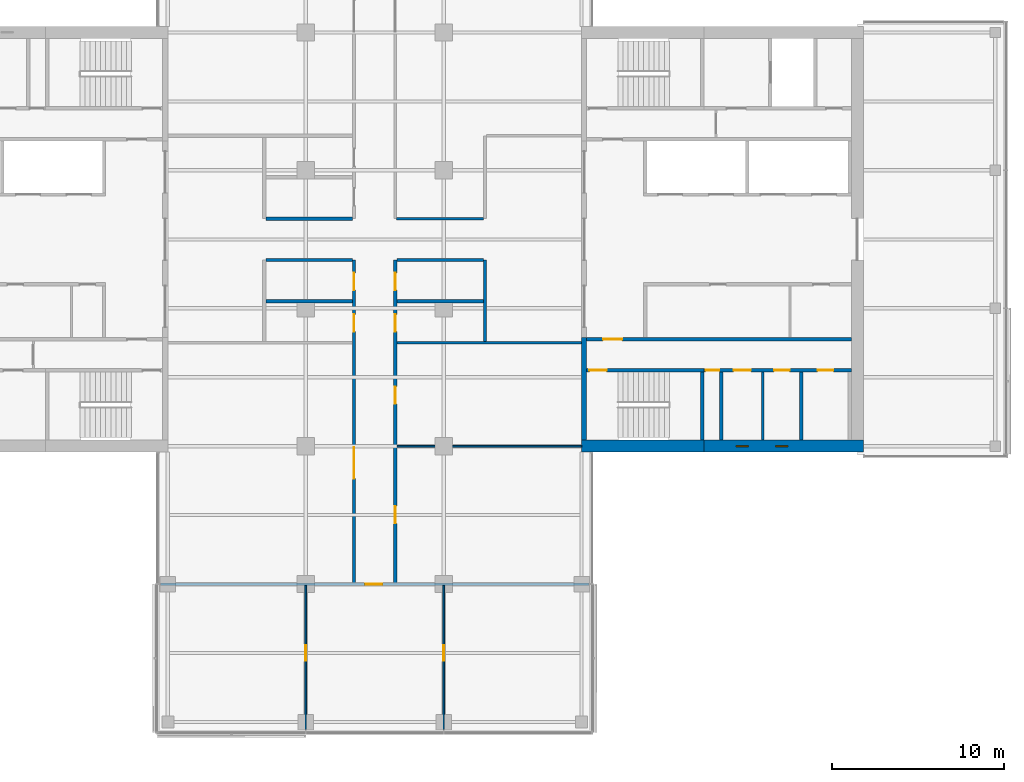
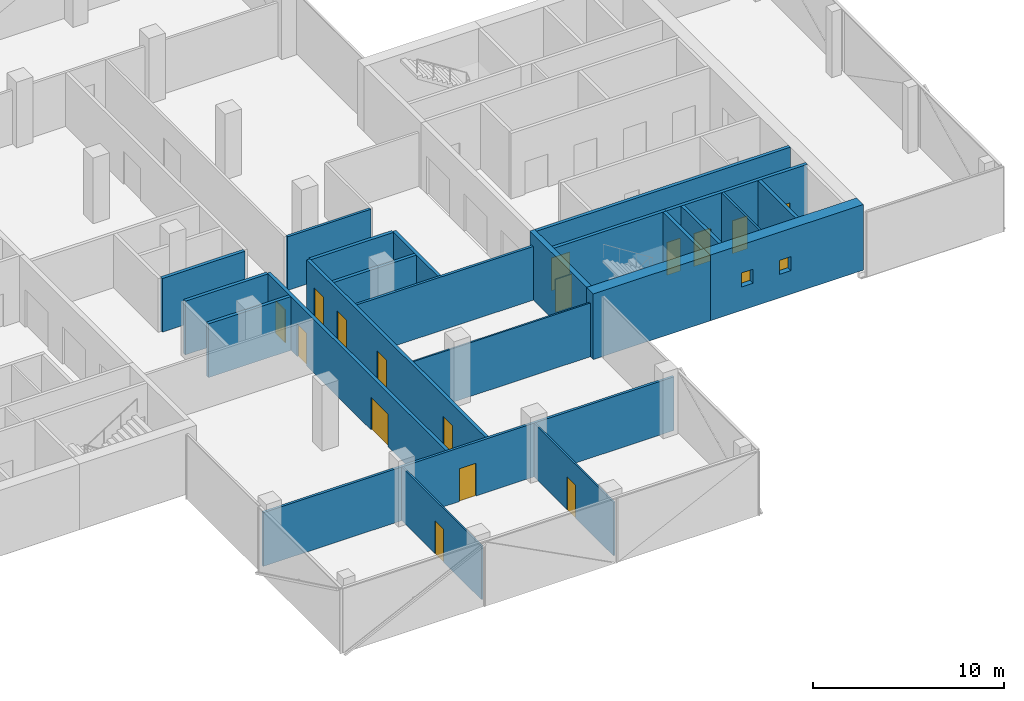
# One storey, part 14 of 22: 24 walls, 16 doors, 2 windows, 18 openings.
"""IFC4 building model written with IfcOpenShell, lengths in metres."""

from ifc_helpers import new_model, si_unit, direction, frame, frame_2d, origin, place, context, subcontext, project, spatial, rectangle, extrude, material, layer, layer_set, constituent, constituent_set, type_object, element, fill, save


model = new_model("IFC4")

# Units and contexts
model_context = context("Model", 3, precision=1e-05, world=origin(), true_north=direction((0.0, 1.0)))
body_context = subcontext(model_context, "Body", "Model", "MODEL_VIEW")
ifc_project = project(units=[si_unit("LENGTHUNIT", "METRE"), si_unit("AREAUNIT", "SQUARE_METRE"), si_unit("VOLUMEUNIT", "CUBIC_METRE"), si_unit("PLANEANGLEUNIT", "RADIAN"), si_unit("MASSUNIT", "GRAM", prefix="KILO")], contexts=[model_context])

# Site, building, storey
site_placement = place(None, origin())
site = spatial("IfcSite", under=ifc_project, at=site_placement, CompositionType="ELEMENT")
building_placement = place(site_placement, origin())
building = spatial("IfcBuilding", under=site, at=building_placement, Name="Crosswind Convention Tower", CompositionType="ELEMENT")
storey_placement = place(building_placement, frame((0.0, 0.0, 121.10009765625)))
storey = spatial("IfcBuildingStorey", under=building, at=storey_placement, Name="L24", CompositionType="ELEMENT", Elevation=121.10009765625)

# Wall
ifc_material_1 = material(Name="Concrete blockwork", Category="masonry")
ifc_layer_1 = layer(ifc_material_1, 0.199951171875)
ifc_layer_set_1 = layer_set([ifc_layer_1], Name="Blockwork partition wall 200")
wall_type_1 = type_object("IfcWallType", Name="Blockwork partition wall 200", PredefinedType="PARTITIONING", material=ifc_layer_set_1)
wall_1_placement = place(storey_placement, frame((145.10009765625, 88.35009765625, 0.0), z_axis=(0.0, 0.0, 1.0), x_axis=(0.0, 1.0, 0.0)))
element("IfcWall", 1, at=wall_1_placement, inside=storey, type_object=wall_type_1, Name="Wall MRSE E L24", PredefinedType="PARTITIONING", context=body_context, shape_type="SweptSolid", body=[
    extrude(rectangle(XDim=3.949951171875, YDim=0.199951171875, at=frame_2d((1.97509765625, 0.0))), origin(), (0.0, 0.0, 1.0), 4.199951171875),
])

# Wall, openings, doors
ifc_layer_2 = layer(ifc_material_1, 0.199951171875)
ifc_layer_set_2 = layer_set([ifc_layer_2], Name="COMPARTMENT WALL 200 BLOCKWORK")
wall_type_2 = type_object("IfcWallType", Name="COMPARTMENT WALL 200 BLOCKWORK", PredefinedType="SOLIDWALL", material=ifc_layer_set_2)
wall_2_placement = place(storey_placement, frame((123.800048828125, 80.074951171875, 0.0), z_axis=(0.0, 0.0, 1.0), x_axis=(0.0, 1.0, 0.0)))
wall_2 = element("IfcWall", 2, at=wall_2_placement, inside=storey, type_object=wall_type_2, Name="Compartment wall WT42", PredefinedType="SOLIDWALL", context=body_context, shape_type="SweptSolid", body=[
    extrude(rectangle(XDim=18.72509765625, YDim=0.199951171875, at=frame_2d((9.362548828125, 0.0))), origin(), (0.0, 0.0, 1.0), 3.436279296875),
])
opening_1_placement = place(wall_2_placement, frame((16.97509765625, 0.0, 0.0)))
opening_1 = element("IfcOpeningElement", 3, at=opening_1_placement, cuts=wall_2, Name="Opening L24-58", PredefinedType="OPENING", context=body_context, shape_type="SweptSolid", body=[
    extrude(rectangle(XDim=1.0, YDim=2.10009765625, at=frame_2d((0.5, 1.050048828125))), frame((0.0, 0.10986328125, 0.0), z_axis=(0.0, -1.0, 0.0), x_axis=(1.0, 0.0, 0.0)), (0.0, 0.0, 1.0), 0.219970703125),
])
opening_2_placement = place(wall_2_placement, frame((14.574951171875, 0.0, 0.0)))
opening_2 = element("IfcOpeningElement", 4, at=opening_2_placement, cuts=wall_2, Name="Opening L24-59", PredefinedType="OPENING", context=body_context, shape_type="SweptSolid", body=[
    extrude(rectangle(XDim=1.0, YDim=2.10009765625, at=frame_2d((0.5, 1.050048828125))), frame((0.0, 0.10986328125, 0.0), z_axis=(0.0, -1.0, 0.0), x_axis=(1.0, 0.0, 0.0)), (0.0, 0.0, 1.0), 0.219970703125),
])
opening_3_placement = place(wall_2_placement, frame((6.050048828125, 0.0, 0.0)))
opening_3 = element("IfcOpeningElement", 5, at=opening_3_placement, cuts=wall_2, Name="Opening L24-60", PredefinedType="OPENING", context=body_context, shape_type="SweptSolid", body=[
    extrude(rectangle(XDim=1.800048828125, YDim=2.10009765625, at=frame_2d((0.89990234375, 1.050048828125))), frame((0.0, 0.10986328125, 0.0), z_axis=(0.0, -1.0, 0.0), x_axis=(1.0, 0.0, 0.0)), (0.0, 0.0, 1.0), 0.219970703125),
])
ifc_material_2 = material(Name="Steel fire door", Category="steel")
door_type_1 = type_object("IfcDoorType", Name="PLANT ROOM DOOR 1000X2100 FD60", OperationType="NOTDEFINED", PredefinedType="DOOR", material=ifc_material_2)
door_1_placement = place(opening_1_placement, origin())
door_1 = element("IfcDoor", 6, at=door_1_placement, inside=storey, type_object=door_type_1, Name="Door L24-58", ObjectType="D43", OperationType="SINGLE_SWING_LEFT", OverallHeight=2.10009765625, OverallWidth=1.0, PredefinedType="DOOR", context=body_context, shape_type="SweptSolid", body=[
    extrude(rectangle(XDim=1.0, YDim=2.10009765625, at=frame_2d((0.5, 1.050048828125))), frame((0.0, 0.02490234375, 0.0), z_axis=(0.0, -1.0, 0.0), x_axis=(1.0, 0.0, 0.0)), (0.0, 0.0, 1.0), 0.050048828125),
])
fill(opening_1, door_1)
ifc_material_3 = material(Name="Timber fire door", Category="wood")
door_type_2 = type_object("IfcDoorType", Name="TENANCY ENTRANCE DOOR 1000X2100 FD30S", OperationType="NOTDEFINED", PredefinedType="DOOR", material=ifc_material_3)
door_2_placement = place(opening_2_placement, origin())
door_2 = element("IfcDoor", 7, at=door_2_placement, inside=storey, type_object=door_type_2, Name="Door L24-59", ObjectType="D41", OperationType="SINGLE_SWING_LEFT", OverallHeight=2.10009765625, OverallWidth=1.0, PredefinedType="DOOR", context=body_context, shape_type="SweptSolid", body=[
    extrude(rectangle(XDim=1.0, YDim=2.10009765625, at=frame_2d((0.5, 1.050048828125))), frame((0.0, 0.02490234375, 0.0), z_axis=(0.0, -1.0, 0.0), x_axis=(1.0, 0.0, 0.0)), (0.0, 0.0, 1.0), 0.050048828125),
])
fill(opening_2, door_2)
door_type_3 = type_object("IfcDoorType", Name="TENANCY ENTRANCE DOUBLE DOOR 1800X2100 FD30S", OperationType="DOUBLE_DOOR_SINGLE_SWING", PredefinedType="DOOR", material=ifc_material_3)
door_3_placement = place(opening_3_placement, origin())
door_3 = element("IfcDoor", 8, at=door_3_placement, inside=storey, type_object=door_type_3, Name="Door L24-60", ObjectType="D42", OperationType="DOUBLE_DOOR_SINGLE_SWING", OverallHeight=2.10009765625, OverallWidth=1.800048828125, PredefinedType="DOOR", context=body_context, shape_type="SweptSolid", body=[
    extrude(rectangle(XDim=1.800048828125, YDim=2.10009765625, at=frame_2d((0.89990234375, 1.050048828125))), frame((0.0, 0.02490234375, 0.0), z_axis=(0.0, -1.0, 0.0), x_axis=(1.0, 0.0, 0.0)), (0.0, 0.0, 1.0), 0.050048828125),
])
fill(opening_3, door_3)

wall_3_placement = place(storey_placement, frame((126.199951171875, 80.074951171875, 0.0), z_axis=(0.0, 0.0, 1.0), x_axis=(0.0, 1.0, 0.0)))
wall_3 = element("IfcWall", 9, at=wall_3_placement, inside=storey, type_object=wall_type_2, Name="Compartment wall WT42", PredefinedType="SOLIDWALL", context=body_context, shape_type="SweptSolid", body=[
    extrude(rectangle(XDim=18.72509765625, YDim=0.199951171875, at=frame_2d((9.362548828125, 0.0))), origin(), (0.0, 0.0, 1.0), 3.436279296875),
])
opening_4_placement = place(wall_3_placement, frame((16.97509765625, 0.0, 0.0)))
opening_4 = element("IfcOpeningElement", 10, at=opening_4_placement, cuts=wall_3, Name="Opening L24-51", PredefinedType="OPENING", context=body_context, shape_type="SweptSolid", body=[
    extrude(rectangle(XDim=1.0, YDim=2.10009765625, at=frame_2d((0.5, 1.050048828125))), frame((0.0, 0.10986328125, 0.0), z_axis=(0.0, -1.0, 0.0), x_axis=(1.0, 0.0, 0.0)), (0.0, 0.0, 1.0), 0.219970703125),
])
opening_5_placement = place(wall_3_placement, frame((14.574951171875, 0.0, 0.0)))
opening_5 = element("IfcOpeningElement", 11, at=opening_5_placement, cuts=wall_3, Name="Opening L24-52", PredefinedType="OPENING", context=body_context, shape_type="SweptSolid", body=[
    extrude(rectangle(XDim=1.0, YDim=2.10009765625, at=frame_2d((0.5, 1.050048828125))), frame((0.0, 0.10986328125, 0.0), z_axis=(0.0, -1.0, 0.0), x_axis=(1.0, 0.0, 0.0)), (0.0, 0.0, 1.0), 0.219970703125),
])
opening_6_placement = place(wall_3_placement, frame((10.375, 0.0, 0.0)))
opening_6 = element("IfcOpeningElement", 12, at=opening_6_placement, cuts=wall_3, Name="Opening L24-53", PredefinedType="OPENING", context=body_context, shape_type="SweptSolid", body=[
    extrude(rectangle(XDim=1.0, YDim=2.10009765625, at=frame_2d((0.5, 1.050048828125))), frame((0.0, 0.10986328125, 0.0), z_axis=(0.0, -1.0, 0.0), x_axis=(1.0, 0.0, 0.0)), (0.0, 0.0, 1.0), 0.219970703125),
])
opening_7_placement = place(wall_3_placement, frame((3.449951171875, 0.0, 0.0)))
opening_7 = element("IfcOpeningElement", 13, at=opening_7_placement, cuts=wall_3, Name="Opening L24-54", PredefinedType="OPENING", context=body_context, shape_type="SweptSolid", body=[
    extrude(rectangle(XDim=1.0, YDim=2.10009765625, at=frame_2d((0.5, 1.050048828125))), frame((0.0, 0.10986328125, 0.0), z_axis=(0.0, -1.0, 0.0), x_axis=(1.0, 0.0, 0.0)), (0.0, 0.0, 1.0), 0.219970703125),
])
door_4_placement = place(opening_4_placement, frame((1.0, 0.0, 0.0), z_axis=(0.0, 0.0, 1.0), x_axis=(-1.0, 0.0, 0.0)))
door_4 = element("IfcDoor", 14, at=door_4_placement, inside=storey, type_object=door_type_1, Name="Door L24-51", ObjectType="D43", OperationType="SINGLE_SWING_RIGHT", OverallHeight=2.10009765625, OverallWidth=1.0, PredefinedType="DOOR", context=body_context, shape_type="SweptSolid", body=[
    extrude(rectangle(XDim=1.0, YDim=2.10009765625, at=frame_2d((0.5, 1.050048828125))), frame((0.0, 0.02490234375, 0.0), z_axis=(0.0, -1.0, 0.0), x_axis=(1.0, 0.0, 0.0)), (0.0, 0.0, 1.0), 0.050048828125),
])
fill(opening_4, door_4)
door_5_placement = place(opening_5_placement, frame((1.0, 0.0, 0.0), z_axis=(0.0, 0.0, 1.0), x_axis=(-1.0, 0.0, 0.0)))
door_5 = element("IfcDoor", 15, at=door_5_placement, inside=storey, type_object=door_type_2, Name="Door L24-52", ObjectType="D41", OperationType="SINGLE_SWING_RIGHT", OverallHeight=2.10009765625, OverallWidth=1.0, PredefinedType="DOOR", context=body_context, shape_type="SweptSolid", body=[
    extrude(rectangle(XDim=1.0, YDim=2.10009765625, at=frame_2d((0.5, 1.050048828125))), frame((0.0, 0.02490234375, 0.0), z_axis=(0.0, -1.0, 0.0), x_axis=(1.0, 0.0, 0.0)), (0.0, 0.0, 1.0), 0.050048828125),
])
fill(opening_5, door_5)
door_6_placement = place(opening_6_placement, frame((1.0, 0.0, 0.0), z_axis=(0.0, 0.0, 1.0), x_axis=(-1.0, 0.0, 0.0)))
door_6 = element("IfcDoor", 16, at=door_6_placement, inside=storey, type_object=door_type_2, Name="Door L24-53", ObjectType="D41", OperationType="SINGLE_SWING_RIGHT", OverallHeight=2.10009765625, OverallWidth=1.0, PredefinedType="DOOR", context=body_context, shape_type="SweptSolid", body=[
    extrude(rectangle(XDim=1.0, YDim=2.10009765625, at=frame_2d((0.5, 1.050048828125))), frame((0.0, 0.02490234375, 0.0), z_axis=(0.0, -1.0, 0.0), x_axis=(1.0, 0.0, 0.0)), (0.0, 0.0, 1.0), 0.050048828125),
])
fill(opening_6, door_6)
door_7_placement = place(opening_7_placement, frame((1.0, 0.0, 0.0), z_axis=(0.0, 0.0, 1.0), x_axis=(-1.0, 0.0, 0.0)))
door_7 = element("IfcDoor", 17, at=door_7_placement, inside=storey, type_object=door_type_2, Name="Door L24-54", ObjectType="D41", OperationType="SINGLE_SWING_LEFT", OverallHeight=2.10009765625, OverallWidth=1.0, PredefinedType="DOOR", context=body_context, shape_type="SweptSolid", body=[
    extrude(rectangle(XDim=1.0, YDim=2.10009765625, at=frame_2d((0.5, 1.050048828125))), frame((0.0, 0.02490234375, 0.0), z_axis=(0.0, -1.0, 0.0), x_axis=(1.0, 0.0, 0.0)), (0.0, 0.0, 1.0), 0.050048828125),
])
fill(opening_7, door_7)

# Walls
wall_4_placement = place(storey_placement, frame((131.39990234375, 94.074951171875, 0.0), z_axis=(0.0, 0.0, 1.0), x_axis=(0.0, 1.0, 0.0)))
element("IfcWall", 18, at=wall_4_placement, inside=storey, type_object=wall_type_2, Name="Compartment wall WT42", PredefinedType="SOLIDWALL", context=body_context, shape_type="SweptSolid", body=[
    extrude(rectangle(XDim=4.72509765625, YDim=0.199951171875, at=frame_2d((2.362548828125, 0.0))), origin(), (0.0, 0.0, 1.0), 3.436279296875),
])
for number, where, z_axis, x_axis, name in (
    (19, (118.699951171875, 96.39990234375, 0.0), (0.0, 0.0, 1.0), (1.0, 0.0, 0.0), "Compartment wall WT42"),
    (20, (126.300048828125, 96.39990234375, 0.0), (0.0, 0.0, 1.0), (1.0, 0.0, 0.0), "Compartment wall WT42"),
    (21, (118.699951171875, 98.800048828125, 0.0), (0.0, 0.0, 1.0), (1.0, 0.0, 0.0), "Compartment wall WT42"),
    (22, (126.300048828125, 98.800048828125, 0.0), (0.0, 0.0, 1.0), (1.0, 0.0, 0.0), "Compartment wall WT42"),
    (23, (118.699951171875, 101.199951171875, 0.0), (0.0, 0.0, 1.0), (1.0, 0.0, 0.0), "Compartment wall WT42"),
):
    element("IfcWall", number, at=place(storey_placement, frame(where, z_axis=z_axis, x_axis=x_axis)), inside=storey, type_object=wall_type_2, Name=name, PredefinedType="SOLIDWALL", context=body_context, shape_type="SweptSolid", body=[
        extrude(rectangle(XDim=5.0, YDim=0.199951171875, at=frame_2d((2.5, 0.0))), origin(), (0.0, 0.0, 1.0), 3.436279296875),
    ])
ifc_material_4 = material(Name="Concrete C50/60", Category="concrete")
ifc_layer_3 = layer(ifc_material_4, 0.300048828125)
ifc_layer_set_3 = layer_set([ifc_layer_3], Name="Concrete C50/60")
wall_type_3 = type_object("IfcWallType", Name="Concrete inner core wall 300", PredefinedType="SHEAR", material=ifc_layer_set_3)
wall_5_placement = place(storey_placement, frame((137.14990234375, 88.35009765625, 0.0), z_axis=(0.0, 0.0, 1.0), x_axis=(0.0, 1.0, 0.0)))
element("IfcWall", 24, at=wall_5_placement, inside=storey, type_object=wall_type_3, Name="Wall EM E L24", PredefinedType="SHEAR", context=body_context, shape_type="SweptSolid", body=[
    extrude(rectangle(XDim=5.949951171875, YDim=0.300048828125, at=frame_2d((2.97509765625, 0.0))), origin(), (0.0, 0.0, 1.0), 4.199951171875),
])

# Wall, opening, door
ifc_layer_4 = layer(ifc_material_4, 0.199951171875)
ifc_layer_set_4 = layer_set([ifc_layer_4], Name="Concrete C50/60")
wall_type_4 = type_object("IfcWallType", Name="Concrete shaft and stair wall 200", PredefinedType="SHEAR", material=ifc_layer_set_4)
wall_6_placement = place(storey_placement, frame((137.300048828125, 94.199951171875, 0.0), z_axis=(0.0, 0.0, 1.0), x_axis=(1.0, 0.0, 0.0)))
wall_6 = element("IfcWall", 25, at=wall_6_placement, inside=storey, type_object=wall_type_4, Name="Wall HM E L24", PredefinedType="SHEAR", context=body_context, shape_type="SweptSolid", body=[
    extrude(rectangle(XDim=15.349853515625, YDim=0.199951171875, at=frame_2d((7.6748046875, 0.0))), origin(), (0.0, 0.0, 1.0), 4.199951171875),
])
opening_8_placement = place(wall_6_placement, frame((0.949951171875, 0.0, 0.0)))
opening_8 = element("IfcOpeningElement", 26, at=opening_8_placement, cuts=wall_6, Name="Opening D104", PredefinedType="OPENING", context=body_context, shape_type="SweptSolid", body=[
    extrude(rectangle(XDim=1.10009765625, YDim=2.10009765625, at=frame_2d((0.550048828125, 1.050048828125))), frame((0.0, 0.10986328125, 0.0), z_axis=(0.0, -1.0, 0.0), x_axis=(1.0, 0.0, 0.0)), (0.0, 0.0, 1.0), 0.219970703125),
])
door_type_4 = type_object("IfcDoorType", Name="Fire-rated single door 1100x2100", OperationType="NOTDEFINED", PredefinedType="DOOR", material=ifc_material_2)
door_8_placement = place(opening_8_placement, origin())
door_8 = element("IfcDoor", 27, at=door_8_placement, inside=storey, type_object=door_type_4, Name="Corridor door L24", ObjectType="D104", OperationType="SINGLE_SWING_LEFT", OverallHeight=2.10009765625, OverallWidth=1.10009765625, PredefinedType="DOOR", context=body_context, shape_type="SweptSolid", body=[
    extrude(rectangle(XDim=1.10009765625, YDim=2.10009765625, at=frame_2d((0.550048828125, 1.050048828125))), frame((0.0, 0.02490234375, 0.0), z_axis=(0.0, -1.0, 0.0), x_axis=(1.0, 0.0, 0.0)), (0.0, 0.0, 1.0), 0.050048828125),
])
fill(opening_8, door_8)

# Walls
for number, where, z_axis, x_axis, name in (
    (28, (144.0, 88.35009765625, 0.0), (0.0, 0.0, 1.0), (0.0, 1.0, 0.0), "Wall MSE E L24"),
    (29, (149.75, 88.35009765625, 0.0), (0.0, 0.0, 1.0), (0.0, 1.0, 0.0), "Wall MFSW E L24"),
):
    element("IfcWall", number, at=place(storey_placement, frame(where, z_axis=z_axis, x_axis=x_axis)), inside=storey, type_object=wall_type_4, Name=name, PredefinedType="SHEAR", context=body_context, shape_type="SweptSolid", body=[
        extrude(rectangle(XDim=3.949951171875, YDim=0.199951171875, at=frame_2d((1.97509765625, 0.0))), origin(), (0.0, 0.0, 1.0), 4.199951171875),
    ])

# Wall, opening, door
wall_7_placement = place(storey_placement, frame((137.300048828125, 92.39990234375, 0.0), z_axis=(0.0, 0.0, 1.0), x_axis=(1.0, 0.0, 0.0)))
wall_7 = element("IfcWall", 30, at=wall_7_placement, inside=storey, type_object=wall_type_4, Name="Wall MCW E L24", PredefinedType="SHEAR", context=body_context, shape_type="SweptSolid", body=[
    extrude(rectangle(XDim=6.800048828125, YDim=0.199951171875, at=frame_2d((3.39990234375, 0.0))), origin(), (0.0, 0.0, 1.0), 4.199951171875),
])
opening_9_placement = place(wall_7_placement, frame((0.14990234375, 0.0, 0.0)))
opening_9 = element("IfcOpeningElement", 31, at=opening_9_placement, cuts=wall_7, Name="Opening D103", PredefinedType="OPENING", context=body_context, shape_type="SweptSolid", body=[
    extrude(rectangle(XDim=1.0, YDim=2.10009765625, at=frame_2d((0.5, 1.050048828125))), frame((0.0, 0.10986328125, 0.0), z_axis=(0.0, -1.0, 0.0), x_axis=(1.0, 0.0, 0.0)), (0.0, 0.0, 1.0), 0.219970703125),
])
door_type_5 = type_object("IfcDoorType", Name="Fire-rated single door 1000x2100", OperationType="NOTDEFINED", PredefinedType="DOOR", material=ifc_material_2)
door_9_placement = place(opening_9_placement, frame((1.0, 0.0, 0.0), z_axis=(0.0, 0.0, 1.0), x_axis=(-1.0, 0.0, 0.0)))
door_9 = element("IfcDoor", 32, at=door_9_placement, inside=storey, type_object=door_type_5, Name="Stair ST2 door L24", ObjectType="D103", OperationType="SINGLE_SWING_RIGHT", OverallHeight=2.10009765625, OverallWidth=1.0, PredefinedType="DOOR", context=body_context, shape_type="SweptSolid", body=[
    extrude(rectangle(XDim=1.0, YDim=2.10009765625, at=frame_2d((0.5, 1.050048828125))), frame((0.0, 0.02490234375, 0.0), z_axis=(0.0, -1.0, 0.0), x_axis=(1.0, 0.0, 0.0)), (0.0, 0.0, 1.0), 0.050048828125),
])
fill(opening_9, door_9)

# Wall, openings, doors
wall_8_placement = place(storey_placement, frame((144.10009765625, 92.39990234375, 0.0), z_axis=(0.0, 0.0, 1.0), x_axis=(1.0, 0.0, 0.0)))
wall_8 = element("IfcWall", 33, at=wall_8_placement, inside=storey, type_object=wall_type_4, Name="Wall MCX E L24", PredefinedType="SHEAR", context=body_context, shape_type="SweptSolid", body=[
    extrude(rectangle(XDim=8.5498046875, YDim=0.199951171875, at=frame_2d((4.27490234375, 0.0))), origin(), (0.0, 0.0, 1.0), 4.199951171875),
])
opening_10_placement = place(wall_8_placement, frame((0.10009765625, 0.0, 0.0)))
opening_10 = element("IfcOpeningElement", 34, at=opening_10_placement, cuts=wall_8, Name="Opening D105", PredefinedType="OPENING", context=body_context, shape_type="SweptSolid", body=[
    extrude(rectangle(XDim=0.800048828125, YDim=2.10009765625, at=frame_2d((0.39990234375, 1.050048828125))), frame((0.0, 0.10986328125, 0.0), z_axis=(0.0, -1.0, 0.0), x_axis=(1.0, 0.0, 0.0)), (0.0, 0.0, 1.0), 0.219970703125),
])
opening_11_placement = place(wall_8_placement, frame((1.725830078125, 0.0, 0.0)))
opening_11 = element("IfcOpeningElement", 35, at=opening_11_placement, cuts=wall_8, Name="Opening D103", PredefinedType="OPENING", context=body_context, shape_type="SweptSolid", body=[
    extrude(rectangle(XDim=1.0, YDim=2.10009765625, at=frame_2d((0.5, 1.050048828125))), frame((0.0, 0.10986328125, 0.0), z_axis=(0.0, -1.0, 0.0), x_axis=(1.0, 0.0, 0.0)), (0.0, 0.0, 1.0), 0.219970703125),
])
opening_12_placement = place(wall_8_placement, frame((4.063232421875, 0.0, 0.0)))
opening_12 = element("IfcOpeningElement", 36, at=opening_12_placement, cuts=wall_8, Name="Opening D106", PredefinedType="OPENING", context=body_context, shape_type="SweptSolid", body=[
    extrude(rectangle(XDim=0.89990234375, YDim=2.10009765625, at=frame_2d((0.449951171875, 1.050048828125))), frame((0.0, 0.10986328125, 0.0), z_axis=(0.0, -1.0, 0.0), x_axis=(1.0, 0.0, 0.0)), (0.0, 0.0, 1.0), 0.219970703125),
])
opening_13_placement = place(wall_8_placement, frame((6.60009765625, 0.0, 0.0)))
opening_13 = element("IfcOpeningElement", 37, at=opening_13_placement, cuts=wall_8, Name="Opening D106", PredefinedType="OPENING", context=body_context, shape_type="SweptSolid", body=[
    extrude(rectangle(XDim=0.89990234375, YDim=2.10009765625, at=frame_2d((0.449951171875, 1.050048828125))), frame((0.0, 0.10986328125, 0.0), z_axis=(0.0, -1.0, 0.0), x_axis=(1.0, 0.0, 0.0)), (0.0, 0.0, 1.0), 0.219970703125),
])
door_10_placement = place(opening_11_placement, frame((1.0, 0.0, 0.0), z_axis=(0.0, 0.0, 1.0), x_axis=(-1.0, 0.0, 0.0)))
door_10 = element("IfcDoor", 38, at=door_10_placement, inside=storey, type_object=door_type_5, Name="Door to accessible wc L24", ObjectType="D103", OperationType="SINGLE_SWING_LEFT", OverallHeight=2.10009765625, OverallWidth=1.0, PredefinedType="DOOR", context=body_context, shape_type="SweptSolid", body=[
    extrude(rectangle(XDim=1.0, YDim=2.10009765625, at=frame_2d((0.5, 1.050048828125))), frame((0.0, 0.02490234375, 0.0), z_axis=(0.0, -1.0, 0.0), x_axis=(1.0, 0.0, 0.0)), (0.0, 0.0, 1.0), 0.050048828125),
])
fill(opening_11, door_10)
door_type_6 = type_object("IfcDoorType", Name="Riser access door 800x2100", OperationType="NOTDEFINED", PredefinedType="DOOR", material=ifc_material_2)
door_11_placement = place(opening_10_placement, frame((0.800048828125, 0.0, 0.0), z_axis=(0.0, 0.0, 1.0), x_axis=(-1.0, 0.0, 0.0)))
door_11 = element("IfcDoor", 39, at=door_11_placement, inside=storey, type_object=door_type_6, Name="Riser door L24", ObjectType="D105", OperationType="SINGLE_SWING_LEFT", OverallHeight=2.10009765625, OverallWidth=0.800048828125, PredefinedType="DOOR", context=body_context, shape_type="SweptSolid", body=[
    extrude(rectangle(XDim=0.800048828125, YDim=2.10009765625, at=frame_2d((0.39990234375, 1.050048828125))), frame((0.0, 0.02490234375, 0.0), z_axis=(0.0, -1.0, 0.0), x_axis=(1.0, 0.0, 0.0)), (0.0, 0.0, 1.0), 0.050048828125),
])
fill(opening_10, door_11)
ifc_material_5 = material(Name="Timber door", Category="wood")
door_type_7 = type_object("IfcDoorType", Name="Single leaf door 900x2100", OperationType="NOTDEFINED", PredefinedType="DOOR", material=ifc_material_5)
door_12_placement = place(opening_12_placement, frame((0.89990234375, 0.0, 0.0), z_axis=(0.0, 0.0, 1.0), x_axis=(-1.0, 0.0, 0.0)))
door_12 = element("IfcDoor", 40, at=door_12_placement, inside=storey, type_object=door_type_7, Name="Door to wc L24", ObjectType="D106", OperationType="SINGLE_SWING_LEFT", OverallHeight=2.10009765625, OverallWidth=0.89990234375, PredefinedType="DOOR", context=body_context, shape_type="SweptSolid", body=[
    extrude(rectangle(XDim=0.89990234375, YDim=2.10009765625, at=frame_2d((0.449951171875, 1.050048828125))), frame((0.0, 0.02490234375, 0.0), z_axis=(0.0, -1.0, 0.0), x_axis=(1.0, 0.0, 0.0)), (0.0, 0.0, 1.0), 0.050048828125),
])
fill(opening_12, door_12)
door_13_placement = place(opening_13_placement, frame((0.89990234375, 0.0, 0.0), z_axis=(0.0, 0.0, 1.0), x_axis=(-1.0, 0.0, 0.0)))
door_13 = element("IfcDoor", 41, at=door_13_placement, inside=storey, type_object=door_type_7, Name="Door to wc L24", ObjectType="D106", OperationType="SINGLE_SWING_LEFT", OverallHeight=2.10009765625, OverallWidth=0.89990234375, PredefinedType="DOOR", context=body_context, shape_type="SweptSolid", body=[
    extrude(rectangle(XDim=0.89990234375, YDim=2.10009765625, at=frame_2d((0.449951171875, 1.050048828125))), frame((0.0, 0.02490234375, 0.0), z_axis=(0.0, -1.0, 0.0), x_axis=(1.0, 0.0, 0.0)), (0.0, 0.0, 1.0), 0.050048828125),
])
fill(opening_13, door_13)

# Wall
ifc_material_6 = material(Name="Gypsum plasterboard partition", Category="gypsum")
ifc_layer_5 = layer(ifc_material_6, 0.125)
ifc_layer_set_5 = layer_set([ifc_layer_5], Name="Drywall partition wall 125")
wall_type_5 = type_object("IfcWallType", Name="Drywall partition wall 125", PredefinedType="PARTITIONING", material=ifc_layer_set_5)
wall_9_placement = place(storey_placement, frame((147.513916015625, 88.35009765625, 0.0), z_axis=(0.0, 0.0, 1.0), x_axis=(0.0, 1.0, 0.0)))
element("IfcWall", 42, at=wall_9_placement, inside=storey, type_object=wall_type_5, Name="Wall MWP1 E L24", PredefinedType="PARTITIONING", context=body_context, shape_type="SweptSolid", body=[
    extrude(rectangle(XDim=3.949951171875, YDim=0.125, at=frame_2d((1.97509765625, 0.0))), origin(), (0.0, 0.0, 1.0), 4.199951171875),
])

# Wall, opening, door
ifc_material_7 = material(Name="Plasterboard partition", Category="gypsum")
ifc_layer_6 = layer(ifc_material_7, 0.10009765625)
ifc_layer_set_6 = layer_set([ifc_layer_6], Name="PARTITION 100 METAL STUD")
wall_type_6 = type_object("IfcWallType", Name="PARTITION 100 METAL STUD", PredefinedType="PARTITIONING", material=ifc_layer_set_6)
wall_10_placement = place(storey_placement, frame((121.0, 71.580078125, 0.0), z_axis=(0.0, 0.0, 1.0), x_axis=(0.0, 1.0, 0.0)))
wall_10 = element("IfcWall", 43, at=wall_10_placement, inside=storey, type_object=wall_type_6, Name="Partition wall WT40", PredefinedType="PARTITIONING", context=body_context, shape_type="SweptSolid", body=[
    extrude(rectangle(XDim=8.344970703125, YDim=0.10009765625, at=frame_2d((4.17236328125, 0.0))), origin(), (0.0, 0.0, 1.0), 3.436279296875),
])
opening_14_placement = place(wall_10_placement, frame((3.969970703125, 0.0, 0.0)))
opening_14 = element("IfcOpeningElement", 44, at=opening_14_placement, cuts=wall_10, Name="Opening L24-63", PredefinedType="OPENING", context=body_context, shape_type="SweptSolid", body=[
    extrude(rectangle(XDim=0.89990234375, YDim=2.10009765625, at=frame_2d((0.449951171875, 1.050048828125))), frame((0.0, 0.06005859375, 0.0), z_axis=(0.0, -1.0, 0.0), x_axis=(1.0, 0.0, 0.0)), (0.0, 0.0, 1.0), 0.1201171875),
])
door_type_8 = type_object("IfcDoorType", Name="INTERNAL DOOR 900X2100", OperationType="NOTDEFINED", PredefinedType="DOOR", material=ifc_material_5)
door_14_placement = place(opening_14_placement, frame((0.89990234375, 0.0, 0.0), z_axis=(0.0, 0.0, 1.0), x_axis=(-1.0, 0.0, 0.0)))
door_14 = element("IfcDoor", 45, at=door_14_placement, inside=storey, type_object=door_type_8, Name="Door L24-63", ObjectType="D40", OperationType="SINGLE_SWING_LEFT", OverallHeight=2.10009765625, OverallWidth=0.89990234375, PredefinedType="DOOR", context=body_context, shape_type="SweptSolid", body=[
    extrude(rectangle(XDim=0.89990234375, YDim=2.10009765625, at=frame_2d((0.449951171875, 1.050048828125))), frame((0.0, 0.02490234375, 0.0), z_axis=(0.0, -1.0, 0.0), x_axis=(1.0, 0.0, 0.0)), (0.0, 0.0, 1.0), 0.050048828125),
])
fill(opening_14, door_14)

wall_11_placement = place(storey_placement, frame((129.0, 71.580078125, 0.0), z_axis=(0.0, 0.0, 1.0), x_axis=(0.0, 1.0, 0.0)))
wall_11 = element("IfcWall", 46, at=wall_11_placement, inside=storey, type_object=wall_type_6, Name="Partition wall WT40", PredefinedType="PARTITIONING", context=body_context, shape_type="SweptSolid", body=[
    extrude(rectangle(XDim=8.344970703125, YDim=0.10009765625, at=frame_2d((4.17236328125, 0.0))), origin(), (0.0, 0.0, 1.0), 3.436279296875),
])
opening_15_placement = place(wall_11_placement, frame((3.969970703125, 0.0, 0.0)))
opening_15 = element("IfcOpeningElement", 47, at=opening_15_placement, cuts=wall_11, Name="Opening L24-64", PredefinedType="OPENING", context=body_context, shape_type="SweptSolid", body=[
    extrude(rectangle(XDim=0.89990234375, YDim=2.10009765625, at=frame_2d((0.449951171875, 1.050048828125))), frame((0.0, 0.06005859375, 0.0), z_axis=(0.0, -1.0, 0.0), x_axis=(1.0, 0.0, 0.0)), (0.0, 0.0, 1.0), 0.1201171875),
])
door_15_placement = place(opening_15_placement, origin())
door_15 = element("IfcDoor", 48, at=door_15_placement, inside=storey, type_object=door_type_8, Name="Door L24-64", ObjectType="D40", OperationType="SINGLE_SWING_RIGHT", OverallHeight=2.10009765625, OverallWidth=0.89990234375, PredefinedType="DOOR", context=body_context, shape_type="SweptSolid", body=[
    extrude(rectangle(XDim=0.89990234375, YDim=2.10009765625, at=frame_2d((0.449951171875, 1.050048828125))), frame((0.0, 0.02490234375, 0.0), z_axis=(0.0, -1.0, 0.0), x_axis=(1.0, 0.0, 0.0)), (0.0, 0.0, 1.0), 0.050048828125),
])
fill(opening_15, door_15)

# Wall
wall_12_placement = place(storey_placement, frame((126.300048828125, 88.0, 0.0), z_axis=(0.0, 0.0, 1.0), x_axis=(1.0, 0.0, 0.0)))
element("IfcWall", 49, at=wall_12_placement, inside=storey, type_object=wall_type_6, Name="Partition wall WT40", PredefinedType="PARTITIONING", context=body_context, shape_type="SweptSolid", body=[
    extrude(rectangle(XDim=10.699951171875, YDim=0.10009765625, at=frame_2d((5.35009765625, 0.0))), origin(), (0.0, 0.0, 1.0), 3.436279296875),
])

# Wall, opening, door
ifc_material_8 = material(Name="Fire-board partition with mineral wool", Category="gypsum")
ifc_layer_7 = layer(ifc_material_8, 0.14990234375)
ifc_layer_set_7 = layer_set([ifc_layer_7], Name="TENANCY WALL 150 TWO-HOUR BOARD")
wall_type_7 = type_object("IfcWallType", Name="TENANCY WALL 150 TWO-HOUR BOARD", PredefinedType="PARTITIONING", material=ifc_layer_set_7)
wall_13_placement = place(storey_placement, frame((112.580078125, 80.0, 0.0), z_axis=(0.0, 0.0, 1.0), x_axis=(1.0, 0.0, 0.0)))
wall_13 = element("IfcWall", 50, at=wall_13_placement, inside=storey, type_object=wall_type_7, Name="Tenancy wall WT41", PredefinedType="PARTITIONING", context=body_context, shape_type="SweptSolid", body=[
    extrude(rectangle(XDim=24.83984375, YDim=0.14990234375, at=frame_2d((12.419921875, 0.0))), origin(), (0.0, 0.0, 1.0), 3.436279296875),
])
opening_16_placement = place(wall_13_placement, frame((11.8701171875, 0.0, 0.0)))
opening_16 = element("IfcOpeningElement", 51, at=opening_16_placement, cuts=wall_13, Name="Opening L24-62", PredefinedType="OPENING", context=body_context, shape_type="SweptSolid", body=[
    extrude(rectangle(XDim=1.0, YDim=2.10009765625, at=frame_2d((0.5, 1.050048828125))), frame((0.0, 0.0849609375, 0.0), z_axis=(0.0, -1.0, 0.0), x_axis=(1.0, 0.0, 0.0)), (0.0, 0.0, 1.0), 0.169921875),
])
door_16_placement = place(opening_16_placement, frame((1.0, 0.0, 0.0), z_axis=(0.0, 0.0, 1.0), x_axis=(-1.0, 0.0, 0.0)))
door_16 = element("IfcDoor", 52, at=door_16_placement, inside=storey, type_object=door_type_2, Name="Door L24-62", ObjectType="D41", OperationType="SINGLE_SWING_RIGHT", OverallHeight=2.10009765625, OverallWidth=1.0, PredefinedType="DOOR", context=body_context, shape_type="SweptSolid", body=[
    extrude(rectangle(XDim=1.0, YDim=2.10009765625, at=frame_2d((0.5, 1.050048828125))), frame((0.0, 0.02490234375, 0.0), z_axis=(0.0, -1.0, 0.0), x_axis=(1.0, 0.0, 0.0)), (0.0, 0.0, 1.0), 0.050048828125),
])
fill(opening_16, door_16)

# Walls
wall_14_placement = place(storey_placement, frame((126.300048828125, 94.0, 0.0), z_axis=(0.0, 0.0, 1.0), x_axis=(1.0, 0.0, 0.0)))
element("IfcWall", 53, at=wall_14_placement, inside=storey, type_object=wall_type_7, Name="Tenancy wall WT41", PredefinedType="PARTITIONING", context=body_context, shape_type="SweptSolid", body=[
    extrude(rectangle(XDim=10.699951171875, YDim=0.14990234375, at=frame_2d((5.35009765625, 0.0))), origin(), (0.0, 0.0, 1.0), 3.436279296875),
])
wall_15_placement = place(storey_placement, frame((126.27490234375, 101.199951171875, 0.0), z_axis=(0.0, 0.0, 1.0), x_axis=(1.0, 0.0, 0.0)))
element("IfcWall", 54, at=wall_15_placement, inside=storey, type_object=wall_type_7, Name="Tenancy wall WT41", PredefinedType="PARTITIONING", context=body_context, shape_type="SweptSolid", body=[
    extrude(rectangle(XDim=5.050048828125, YDim=0.14990234375, at=frame_2d((2.52490234375, 0.0))), origin(), (0.0, 0.0, 1.0), 3.436279296875),
])
ifc_material_9 = material(Name="Concrete C60/75", Category="concrete")
ifc_constituent_1 = constituent(ifc_material_9, Name="Structure")
ifc_material_10 = material(Name="Terracotta rainscreen", Category="ceramic")
ifc_constituent_2 = constituent(ifc_material_10, Name="Facing")
ifc_constituent_set = constituent_set(constituents=[ifc_constituent_1, ifc_constituent_2], Name="Concrete C60/75, Terracotta rainscreen")
wall_type_8 = type_object("IfcWallType", Name="Terracotta rainscreen on concrete core wall 700", PredefinedType="SHEAR", material=ifc_constituent_set)
wall_16_placement = place(storey_placement, frame((137.0, 88.0, 0.0), z_axis=(0.0, 0.0, 1.0), x_axis=(1.0, 0.0, 0.0)))
element("IfcWall", 55, at=wall_16_placement, inside=storey, type_object=wall_type_8, Name="Wall S1 E L24", PredefinedType="SHEAR", context=body_context, shape_type="SweptSolid", body=[
    extrude(rectangle(XDim=7.10009765625, YDim=0.699951171875, at=frame_2d((3.550048828125, 0.0))), origin(), (0.0, 0.0, 1.0), 4.199951171875),
])

# Wall, openings, windows
wall_17_placement = place(storey_placement, frame((144.10009765625, 88.0, 0.0), z_axis=(0.0, 0.0, 1.0), x_axis=(1.0, 0.0, 0.0)))
wall_17 = element("IfcWall", 56, at=wall_17_placement, inside=storey, type_object=wall_type_8, Name="Wall S2 E L24", PredefinedType="SHEAR", context=body_context, shape_type="SweptSolid", body=[
    extrude(rectangle(XDim=9.25, YDim=0.699951171875, at=frame_2d((4.625, 0.0))), origin(), (0.0, 0.0, 1.0), 4.199951171875),
])
opening_17_placement = place(wall_17_placement, frame((1.875732421875, 0.0, 1.5)))
opening_17 = element("IfcOpeningElement", 57, at=opening_17_placement, cuts=wall_17, Name="Opening W2", PredefinedType="OPENING", context=body_context, shape_type="SweptSolid", body=[
    extrude(rectangle(XDim=0.699951171875, YDim=0.89990234375, at=frame_2d((0.35009765625, 0.449951171875))), frame((0.0, 0.35986328125, 0.0), z_axis=(0.0, -1.0, 0.0), x_axis=(1.0, 0.0, 0.0)), (0.0, 0.0, 1.0), 0.719970703125),
])
opening_18_placement = place(wall_17_placement, frame((4.163330078125, 0.0, 1.5)))
opening_18 = element("IfcOpeningElement", 58, at=opening_18_placement, cuts=wall_17, Name="Opening W2", PredefinedType="OPENING", context=body_context, shape_type="SweptSolid", body=[
    extrude(rectangle(XDim=0.699951171875, YDim=0.89990234375, at=frame_2d((0.35009765625, 0.449951171875))), frame((0.0, 0.35986328125, 0.0), z_axis=(0.0, -1.0, 0.0), x_axis=(1.0, 0.0, 0.0)), (0.0, 0.0, 1.0), 0.719970703125),
])
ifc_material_11 = material(Name="Obscure glass in aluminium frame", Category="aluminium")
window_type = type_object("IfcWindowType", Name="WC window 700x900", PartitioningType="SINGLE_PANEL", PredefinedType="WINDOW", material=ifc_material_11)
window_1_placement = place(opening_17_placement, origin())
window_1 = element("IfcWindow", 59, at=window_1_placement, inside=storey, type_object=window_type, Name="WC window L24", ObjectType="W2", OverallHeight=0.89990234375, OverallWidth=0.699951171875, PartitioningType="SINGLE_PANEL", PredefinedType="WINDOW", context=body_context, shape_type="SweptSolid", body=[
    extrude(rectangle(XDim=0.699951171875, YDim=0.89990234375, at=frame_2d((0.35009765625, 0.449951171875))), frame((0.0, 0.030029296875, 0.0), z_axis=(0.0, -1.0, 0.0), x_axis=(1.0, 0.0, 0.0)), (0.0, 0.0, 1.0), 0.06005859375),
])
fill(opening_17, window_1)
window_2_placement = place(opening_18_placement, origin())
window_2 = element("IfcWindow", 60, at=window_2_placement, inside=storey, type_object=window_type, Name="WC window L24", ObjectType="W2", OverallHeight=0.89990234375, OverallWidth=0.699951171875, PartitioningType="SINGLE_PANEL", PredefinedType="WINDOW", context=body_context, shape_type="SweptSolid", body=[
    extrude(rectangle(XDim=0.699951171875, YDim=0.89990234375, at=frame_2d((0.35009765625, 0.449951171875))), frame((0.0, 0.030029296875, 0.0), z_axis=(0.0, -1.0, 0.0), x_axis=(1.0, 0.0, 0.0)), (0.0, 0.0, 1.0), 0.06005859375),
])
fill(opening_18, window_2)

save(model, "model.ifc")
